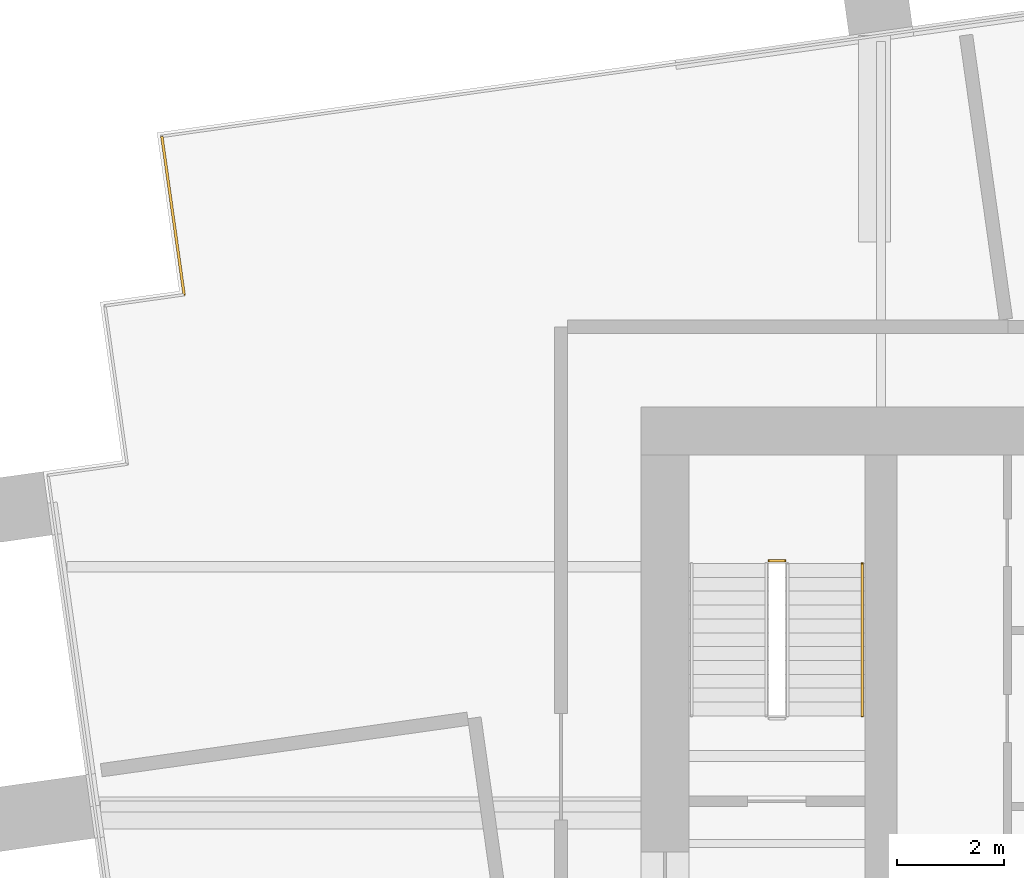
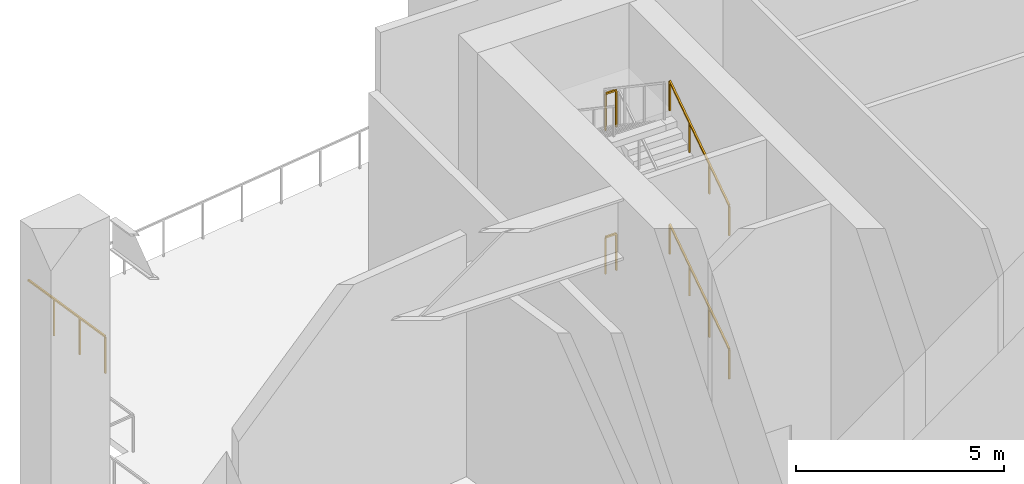
# One storey, part 10 of 13: 5 railings.
"""IFC4 building model written with IfcOpenShell, lengths in metres."""

from ifc_helpers import new_model, si_unit, direction, frame, origin, origin_2d, place, context, subcontext, project, spatial, rectangle, extrude, material, type_object, element, save


model = new_model("IFC4")

# Units and contexts
model_context = context("Model", 3, precision=1e-05, world=origin(), true_north=direction((0.0, 1.0)))
body_context = subcontext(model_context, "Body", "Model", "MODEL_VIEW")
ifc_project = project(units=[si_unit("LENGTHUNIT", "METRE"), si_unit("AREAUNIT", "SQUARE_METRE"), si_unit("VOLUMEUNIT", "CUBIC_METRE"), si_unit("PLANEANGLEUNIT", "RADIAN"), si_unit("MASSUNIT", "GRAM", prefix="KILO")], contexts=[model_context])

# Site, building, storey
site_placement = place(None, origin())
site = spatial("IfcSite", under=ifc_project, at=site_placement, CompositionType="ELEMENT")
building_placement = place(site_placement, origin())
building = spatial("IfcBuilding", under=site, at=building_placement, Name="Rattan Terrace Tower", CompositionType="ELEMENT")
storey_placement = place(building_placement, frame((0.0, 0.0, 199.699951171875)))
storey = spatial("IfcBuildingStorey", under=building, at=storey_placement, Name="L46", CompositionType="ELEMENT", Elevation=199.699951171875)

# Railings
ifc_material_1 = material(Name="Powder-coated steel guard", Category="steel")
railing_type_1 = type_object("IfcRailingType", Name="Core stair guard", PredefinedType="GUARDRAIL", material=ifc_material_1)
for number, where, name in (
    (1, (-15.300048828125, 4.610107421875, 2.10009765625), "L46 S1 stair guard 2"),
    (2, (-15.300048828125, 4.610107421875, 6.300048828125), "L46 S1 stair guard 6"),
):
    element("IfcRailing", number, at=place(storey_placement, frame(where)), inside=storey, type_object=railing_type_1, Name=name, PredefinedType="GUARDRAIL", context=body_context, shape_type="SweptSolid", body=[
        extrude(rectangle(XDim=0.048095703125, YDim=0.048095703125, at=origin_2d()), frame((0.0, 0.0, 1.076171875), z_axis=(-1.0, 0.0, 0.0), x_axis=(0.0, -1.0, 0.0)), (0.0, 0.0, 1.0), 0.300048828125),
        extrude(rectangle(XDim=0.0419921875, YDim=0.0419921875, at=origin_2d()), origin(), (0.0, 0.0, 1.0), 1.052001953125),
        extrude(rectangle(XDim=0.0419921875, YDim=0.0419921875, at=origin_2d()), frame((-0.300048828125, 0.0, 0.0)), (0.0, 0.0, 1.0), 1.052001953125),
    ])
ifc_material_2 = material(Name="Powder-coated steel handrail", Category="steel")
railing_type_2 = type_object("IfcRailingType", Name="Core stair handrail", PredefinedType="HANDRAIL", material=ifc_material_2)
for number, where, name in (
    (3, (-13.85009765625, 1.699951171875, 0.175048828125), "L46 S1 stair handrail 1"),
    (4, (-13.85009765625, 1.699951171875, 4.375), "L46 S1 stair handrail 3"),
):
    element("IfcRailing", number, at=place(storey_placement, frame(where)), inside=storey, type_object=railing_type_2, Name=name, PredefinedType="HANDRAIL", context=body_context, shape_type="SweptSolid", body=[
        extrude(rectangle(XDim=0.048095703125, YDim=0.048095703125, at=origin_2d()), frame((0.0, 0.0, 0.8759765625), z_axis=(0.0, 0.829590901723, 0.558371682465), x_axis=(-1.0, 0.0, 0.0)), (0.0, 0.0, 1.0), 3.447509765625),
        extrude(rectangle(XDim=0.0419921875, YDim=0.0419921875, at=origin_2d()), origin(), (0.0, 0.0, 1.0), 0.851806640625),
        extrude(rectangle(XDim=0.0419921875, YDim=0.0419921875, at=origin_2d()), frame((0.0, 0.953369140625, 0.6416015625)), (0.0, 0.0, 1.0), 0.851806640625),
        extrude(rectangle(XDim=0.0419921875, YDim=0.0419921875, at=origin_2d()), frame((0.0, 1.90673828125, 1.283447265625)), (0.0, 0.0, 1.0), 0.851806640625),
        extrude(rectangle(XDim=0.0419921875, YDim=0.0419921875, at=origin_2d()), frame((0.0, 2.860107421875, 1.925048828125)), (0.0, 0.0, 1.0), 0.851806640625),
    ])
ifc_material_3 = material(Name="Stainless steel 316", Category="steel")
railing_type_3 = type_object("IfcRailingType", Name="Facade Guard 1100", PredefinedType="GUARDRAIL", material=ifc_material_3)
railing_placement = place(storey_placement, frame((-26.572021484375, 9.60400390625, 0.0)))
element("IfcRailing", 5, at=railing_placement, inside=storey, type_object=railing_type_3, Name="Guard L46-1-10", PredefinedType="GUARDRAIL", context=body_context, shape_type="SweptSolid", body=[
    extrude(rectangle(XDim=0.048095703125, YDim=0.048095703125, at=origin_2d()), frame((0.0, 0.0, 1.076171875), z_axis=(-0.139313431826, 0.990248336385, 0.0), x_axis=(-0.990248336385, -0.139313431826, 0.0)), (0.0, 0.0, 1.0), 3.000244140625),
    extrude(rectangle(XDim=0.0419921875, YDim=0.0419921875, at=origin_2d()), origin(), (0.0, 0.0, 1.0), 1.052001953125),
    extrude(rectangle(XDim=0.0419921875, YDim=0.0419921875, at=origin_2d()), frame((-0.139404296875, 0.990234375, 0.0)), (0.0, 0.0, 1.0), 1.052001953125),
    extrude(rectangle(XDim=0.0419921875, YDim=0.0419921875, at=origin_2d()), frame((-0.278564453125, 1.980712890625, 0.0)), (0.0, 0.0, 1.0), 1.052001953125),
])

save(model, "model.ifc")
